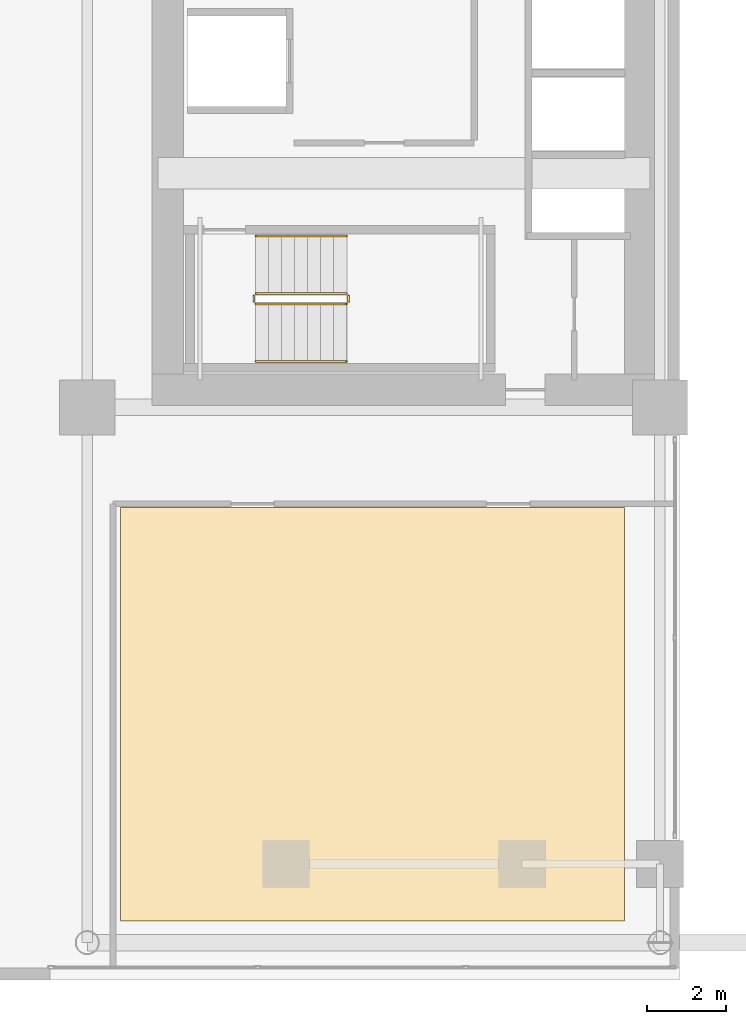
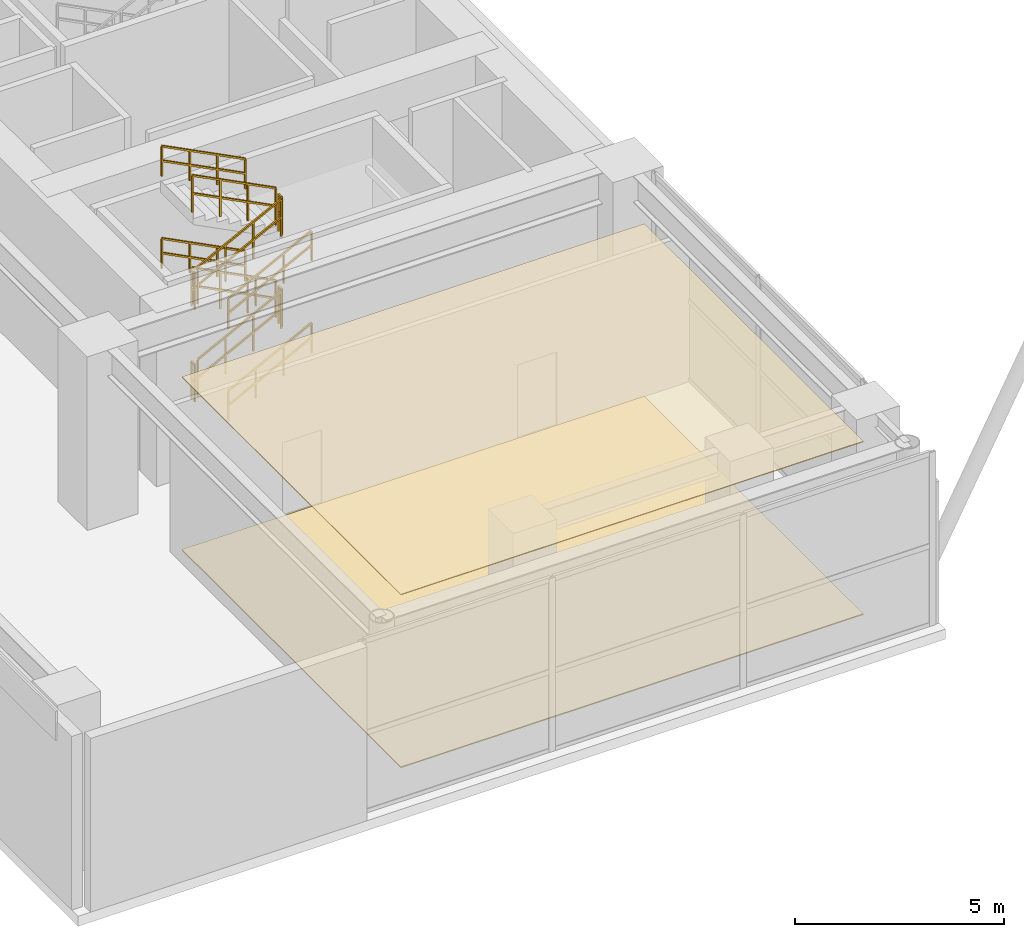
# One storey, part 24 of 29: 12 railings, 2 coverings.
"""IFC4 building model written with IfcOpenShell, lengths in metres."""

import ifcopenshell
import ifcopenshell.guid

model = None  # the IFC model being written
_history = None  # IfcOwnerHistory: only IFC2X3 demands one
_inside = {}  # id of a spatial element -> (the spatial element, [elements in it])
_under = {}  # id of a project, library or spatial element -> (it, [spatial elements below it])
_declared = {}  # id of a project -> (the project, [libraries it declares])
_typed = {}  # id of a type object -> (the type object, [elements of that type])
_made_of = {}  # id of a material, layer set ... -> (it, [elements and type objects made of it])


def new_model(schema):
    """Start an empty IFC model of exactly this schema.

    Asked for "IFC4X3", IfcOpenShell would pick the latest addendum, in which some entities
    have other attributes; the version numbers below select the first issue.
    IFC2X3 requires an IfcOwnerHistory on every rooted entity: one is made here for all.
    """
    global model, _history
    if schema == "IFC4X3":
        model = ifcopenshell.file(schema_version=(4, 3, 0, 0))
    else:
        model = ifcopenshell.file(schema=schema)
    _inside.clear()
    _under.clear()
    _declared.clear()
    _typed.clear()
    _made_of.clear()
    _history = None
    if model.schema == "IFC2X3":
        org = make("IfcOrganization", Name="unknown")
        user = make(
            "IfcPersonAndOrganization",
            ThePerson=make("IfcPerson", FamilyName="unknown"),
            TheOrganization=org,
        )
        app = make(
            "IfcApplication",
            ApplicationDeveloper=org,
            Version="unknown",
            ApplicationFullName="unknown",
            ApplicationIdentifier="unknown",
        )
        _history = make(
            "IfcOwnerHistory",
            OwningUser=user,
            OwningApplication=app,
            ChangeAction="ADDED",
            CreationDate=0,
        )
    return model


def make(cls, **values):
    """One entity of the class cls with the attributes given. An attribute that is None is left unset."""
    return model.create_entity(
        cls, **{name: value for name, value in values.items() if value is not None}
    )


def rooted(cls, **values):
    """An entity with a GlobalId (a new one), such as an element, a storey or a relation."""
    return make(cls, GlobalId=ifcopenshell.guid.new(), OwnerHistory=_history, **values)


def si_unit(unit_type, name, prefix=None):
    """IfcSIUnit, for example si_unit("LENGTHUNIT", "METRE", prefix="MILLI")."""
    return make("IfcSIUnit", UnitType=unit_type, Prefix=prefix, Name=name)


def assignment(units):
    """IfcUnitAssignment: the units of a project."""
    return None if units is None else make("IfcUnitAssignment", Units=units)


def point(xyz):
    """IfcCartesianPoint."""
    return None if xyz is None else make("IfcCartesianPoint", Coordinates=xyz)


def direction(xyz):
    """IfcDirection."""
    return None if xyz is None else make("IfcDirection", DirectionRatios=xyz)


def frame(location, z_axis=None, x_axis=None):
    """IfcAxis2Placement3D, a coordinate frame: its origin and axes. An axis left out is left unset."""
    return make(
        "IfcAxis2Placement3D",
        Location=point(location),
        Axis=direction(z_axis),
        RefDirection=direction(x_axis),
    )


def frame_2d(location, x_axis=None):
    """IfcAxis2Placement2D, a coordinate frame in the plane: its origin and x axis."""
    return make(
        "IfcAxis2Placement2D", Location=point(location), RefDirection=direction(x_axis)
    )


def origin():
    """The frame at (0, 0, 0) with its axes left unset."""
    return frame((0.0, 0.0, 0.0))


def origin_2d():
    """The frame at (0, 0) in the plane with its x axis left unset."""
    return frame_2d((0.0, 0.0))


def place(relative_to, where):
    """IfcLocalPlacement: puts the frame where relative to a parent placement (None: the world)."""
    return make(
        "IfcLocalPlacement", PlacementRelTo=relative_to, RelativePlacement=where
    )


def context(
    kind, dimensions, precision=None, world=None, true_north=None, identifier=None
):
    """IfcGeometricRepresentationContext, for example the 3D "Model" context."""
    return make(
        "IfcGeometricRepresentationContext",
        ContextIdentifier=identifier,
        ContextType=kind,
        CoordinateSpaceDimension=dimensions,
        Precision=precision,
        WorldCoordinateSystem=world,
        TrueNorth=true_north,
    )


def subcontext(parent, identifier, kind, view, scale=None):
    """IfcGeometricRepresentationSubContext, for example "Body" below "Model"."""
    return make(
        "IfcGeometricRepresentationSubContext",
        ContextIdentifier=identifier,
        ContextType=kind,
        ParentContext=parent,
        TargetScale=scale,
        TargetView=view,
    )


def project(units=None, contexts=None):
    """IfcProject with its units and contexts."""
    return rooted(
        "IfcProject",
        Name="project",
        RepresentationContexts=contexts,
        UnitsInContext=assignment(units),
    )


def spatial(cls, under=None, at=None, **own):
    """A site, building, storey or space (cls), placed at a placement, below another one or the project."""
    s = rooted(cls, ObjectPlacement=at, **own)
    if under is not None:
        _under.setdefault(under.id(), (under, []))[1].append(s)
    return s


def polyline(points):
    """IfcPolyline through the points."""
    return make("IfcPolyline", Points=[point(p) for p in points])


def profile(cls, at=None, kind="AREA", **sizes):
    """A parametric profile (cls). Its sizes go by their IFC names, for example OverallWidth=200.0."""
    return make(cls, ProfileType=kind, Position=at, **sizes)


def rectangle(**sizes):
    """IfcRectangleProfileDef."""
    return profile("IfcRectangleProfileDef", **sizes)


def outline(outer, holes=None, kind="AREA"):
    """IfcArbitraryClosedProfileDef: a profile drawn as a closed curve; with holes, ...WithVoids."""
    if holes is None:
        return make("IfcArbitraryClosedProfileDef", ProfileType=kind, OuterCurve=outer)
    return make(
        "IfcArbitraryProfileDefWithVoids",
        ProfileType=kind,
        OuterCurve=outer,
        InnerCurves=holes,
    )


def extrude(swept, where, along, depth):
    """IfcExtrudedAreaSolid: the profile swept, set in the frame where, extruded along a direction by depth."""
    return make(
        "IfcExtrudedAreaSolid",
        SweptArea=swept,
        Position=where,
        ExtrudedDirection=direction(along),
        Depth=depth,
    )


def shape(context_of_items, identifier, shape_type, items):
    """IfcShapeRepresentation: the items that make up one representation, for example the "Body"."""
    return make(
        "IfcShapeRepresentation",
        ContextOfItems=context_of_items,
        RepresentationIdentifier=identifier,
        RepresentationType=shape_type,
        Items=items,
    )


def material(Name=None, Category=None):
    """IfcMaterial."""
    return make("IfcMaterial", Name=Name, Category=Category)


def layer(
    of_material, thickness, ventilated=None, Name=None, Category=None, Priority=None
):
    """IfcMaterialLayer: one layer of a wall or slab, of a material (None: an air gap)."""
    return make(
        "IfcMaterialLayer",
        Material=of_material,
        LayerThickness=thickness,
        IsVentilated=ventilated,
        Name=Name,
        Category=Category,
        Priority=Priority,
    )


def layer_set(layers, Name=None):
    """IfcMaterialLayerSet."""
    return make("IfcMaterialLayerSet", MaterialLayers=layers, LayerSetName=Name)


def made_of(thing, what):
    """Note that an element or type object is made of a material, layer set ...; save() writes the relation."""
    if what is not None:
        _made_of.setdefault(what.id(), (what, []))[1].append(thing)
    return thing


def type_object(cls, material=None, **own):
    """A type object (cls), such as IfcWallType, which elements share."""
    return made_of(rooted(cls, **own), material)


def element(
    cls,
    number,
    at=None,
    inside=None,
    cuts=None,
    type_object=None,
    material=None,
    context=None,
    identifier="Body",
    shape_type=None,
    held_by="IfcProductDefinitionShape",
    body=None,
    shapes=None,
    **own,
):
    """One element of the class cls, such as IfcWall. Its Tag is "e" and its number.

    at: its placement. inside: the storey or other place that contains it. cuts: it is an
    opening in that element (IfcRelVoidsElement). A single representation is given by context,
    identifier, shape_type and body (its items); several are given by shapes. held_by: the class
    of the entity that holds the representations. save() writes the other relations.
    """
    e = rooted(cls, Tag="e%d" % number, ObjectPlacement=at, **own)
    if body is not None:
        shapes = [shape(context, identifier, shape_type, body)]
    if shapes is not None:
        e.Representation = make(held_by, Representations=shapes)
    if inside is not None:
        _inside.setdefault(inside.id(), (inside, []))[1].append(e)
    if cuts is not None:
        rooted(
            "IfcRelVoidsElement", RelatingBuildingElement=cuts, RelatedOpeningElement=e
        )
    if type_object is not None:
        _typed.setdefault(type_object.id(), (type_object, []))[1].append(e)
    return made_of(e, material)


def aggregate(whole, parts):
    """IfcRelAggregates: a whole, such as a stair, and the parts it consists of."""
    return rooted("IfcRelAggregates", RelatingObject=whole, RelatedObjects=parts)


def save(model, path):
    """Write the relations noted so far, then the file.

    IfcRelAggregates (storeys below a building ...), IfcRelContainedInSpatialStructure (elements
    in a storey), IfcRelDefinesByType, IfcRelAssociatesMaterial and IfcRelDeclares: one each for
    every whole, place, type object, material and project.
    """
    for whole, parts in _under.values():
        aggregate(whole, parts)
    for where, things in _inside.values():
        rooted(
            "IfcRelContainedInSpatialStructure",
            RelatedElements=things,
            RelatingStructure=where,
        )
    for kind, things in _typed.values():
        rooted("IfcRelDefinesByType", RelatedObjects=things, RelatingType=kind)
    for what, things in _made_of.values():
        rooted("IfcRelAssociatesMaterial", RelatedObjects=things, RelatingMaterial=what)
    for by, libraries in _declared.values():
        rooted("IfcRelDeclares", RelatingContext=by, RelatedDefinitions=libraries)
    model.write(path)


model = new_model("IFC4")

# Units and contexts
model_context = context("Model", 3, precision=1e-05, world=origin(), true_north=direction((0.0, 1.0)))
body_context = subcontext(model_context, "Body", "Model", "MODEL_VIEW")
ifc_project = project(units=[si_unit("LENGTHUNIT", "METRE"), si_unit("AREAUNIT", "SQUARE_METRE"), si_unit("VOLUMEUNIT", "CUBIC_METRE"), si_unit("PLANEANGLEUNIT", "RADIAN"), si_unit("MASSUNIT", "GRAM", prefix="KILO")], contexts=[model_context])

# Site, building, storey
site_placement = place(None, origin())
site = spatial("IfcSite", under=ifc_project, at=site_placement, CompositionType="ELEMENT")
building_placement = place(site_placement, origin())
building = spatial("IfcBuilding", under=site, at=building_placement, Name="Ocotamira Hotel", CompositionType="ELEMENT")
storey_placement = place(building_placement, frame((0.0, 0.0, 6.0)))
storey = spatial("IfcBuildingStorey", under=building, at=storey_placement, Name="L02", CompositionType="ELEMENT", Elevation=6.0)

# Coverings
ifc_material_1 = material(Name="Perforated acoustic gypsum ceiling board", Category="gypsum")
ifc_layer_1 = layer(ifc_material_1, 0.02490234375)
ifc_layer_set_1 = layer_set([ifc_layer_1], Name="Perforated acoustic gypsum ceiling board")
covering_type_1 = type_object("IfcCoveringType", Name="COV-CEIL-25", PredefinedType="CEILING", material=ifc_layer_set_1)
covering_1_placement = place(storey_placement, frame((0.0, 0.0, 5.054931640625)))
element("IfcCovering", 1, at=covering_1_placement, inside=storey, type_object=covering_type_1, Name="L02 Acoustic Ceiling", PredefinedType="CEILING", context=body_context, shape_type="SweptSolid", body=[
    extrude(outline(polyline([(9.800048828125, 1.5), (22.60009765625, 1.5), (22.60009765625, 12.0), (9.800048828125, 12.0), (9.800048828125, 1.5)])), origin(), (0.0, 0.0, 1.0), 0.025146484375),
])
ifc_material_2 = material(Name="Honed desert travertine stone flooring", Category="masonry")
ifc_layer_2 = layer(ifc_material_2, 0.030029296875)
ifc_layer_set_2 = layer_set([ifc_layer_2], Name="Honed desert travertine stone flooring")
covering_type_2 = type_object("IfcCoveringType", Name="COV-FLOR-30", PredefinedType="FLOORING", material=ifc_layer_set_2)
covering_2_placement = place(storey_placement, origin())
element("IfcCovering", 2, at=covering_2_placement, inside=storey, type_object=covering_type_2, Name="L02 Honed Stone Floor Finish", PredefinedType="FLOORING", context=body_context, shape_type="SweptSolid", body=[
    extrude(outline(polyline([(9.800048828125, 1.5), (22.60009765625, 1.5), (22.60009765625, 12.0), (9.800048828125, 12.0), (9.800048828125, 1.5)])), origin(), (0.0, 0.0, 1.0), 0.030029296875),
])

# Railings
ifc_material_3 = material(Name="Brushed stainless steel handrail", Category="steel")
railing_type_1 = type_object("IfcRailingType", Name="RL-HAND-900", PredefinedType="HANDRAIL", material=ifc_material_3)
railing_1_placement = place(storey_placement, frame((13.22998046875, 15.719970703125, 0.33740234375)))
element("IfcRailing", 3, at=railing_1_placement, inside=storey, type_object=railing_type_1, Name="L02 ST-1 stair handrail 1", PredefinedType="HANDRAIL", context=body_context, shape_type="SweptSolid", body=[
    extrude(rectangle(XDim=0.048095703125, YDim=0.048095703125, at=origin_2d()), frame((0.0, 0.0, 0.8759765625), z_axis=(0.89032534587, 0.0, 0.45532491531), x_axis=(0.0, 1.0, 0.0)), (0.0, 0.0, 1.0), 2.5947265625),
    extrude(rectangle(XDim=0.048095703125, YDim=0.048095703125, at=origin_2d()), frame((0.0, 0.0, 0.449951171875), z_axis=(0.89032534587, 0.0, 0.45532491531), x_axis=(0.0, 1.0, 0.0)), (0.0, 0.0, 1.0), 2.5947265625),
    extrude(rectangle(XDim=0.0419921875, YDim=0.0419921875, at=origin_2d()), origin(), (0.0, 0.0, 1.0), 0.851806640625),
    extrude(rectangle(XDim=0.0419921875, YDim=0.0419921875, at=origin_2d()), frame((0.77001953125, 0.0, 0.393798828125)), (0.0, 0.0, 1.0), 0.851806640625),
    extrude(rectangle(XDim=0.0419921875, YDim=0.0419921875, at=origin_2d()), frame((1.5400390625, 0.0, 0.78759765625)), (0.0, 0.0, 1.0), 0.851806640625),
    extrude(rectangle(XDim=0.0419921875, YDim=0.0419921875, at=origin_2d()), frame((2.31005859375, 0.0, 1.181396484375)), (0.0, 0.0, 1.0), 0.851806640625),
])
railing_2_placement = place(storey_placement, frame((15.5400390625, 18.89990234375, 1.6875)))
element("IfcRailing", 4, at=railing_2_placement, inside=storey, type_object=railing_type_1, Name="L02 ST-1 stair handrail 2", PredefinedType="HANDRAIL", context=body_context, shape_type="SweptSolid", body=[
    extrude(rectangle(XDim=0.048095703125, YDim=0.048095703125, at=origin_2d()), frame((0.0, 0.0, 0.8759765625), z_axis=(-0.890363489232, 0.0, 0.455250323495), x_axis=(0.0, -1.0, 0.0)), (0.0, 0.0, 1.0), 2.594482421875),
    extrude(rectangle(XDim=0.048095703125, YDim=0.048095703125, at=origin_2d()), frame((0.0, 0.0, 0.449951171875), z_axis=(-0.890363489232, 0.0, 0.455250323495), x_axis=(0.0, -1.0, 0.0)), (0.0, 0.0, 1.0), 2.594482421875),
    extrude(rectangle(XDim=0.0419921875, YDim=0.0419921875, at=origin_2d()), origin(), (0.0, 0.0, 1.0), 0.851806640625),
    extrude(rectangle(XDim=0.0419921875, YDim=0.0419921875, at=origin_2d()), frame((-0.77001953125, 0.0, 0.393798828125)), (0.0, 0.0, 1.0), 0.851806640625),
    extrude(rectangle(XDim=0.0419921875, YDim=0.0419921875, at=origin_2d()), frame((-1.5400390625, 0.0, 0.787353515625)), (0.0, 0.0, 1.0), 0.851806640625),
    extrude(rectangle(XDim=0.0419921875, YDim=0.0419921875, at=origin_2d()), frame((-2.31005859375, 0.0, 1.18115234375)), (0.0, 0.0, 1.0), 0.851806640625),
])
railing_3_placement = place(storey_placement, frame((13.22998046875, 15.719970703125, 3.03759765625)))
element("IfcRailing", 5, at=railing_3_placement, inside=storey, type_object=railing_type_1, Name="L02 ST-1 stair handrail 3", PredefinedType="HANDRAIL", context=body_context, shape_type="SweptSolid", body=[
    extrude(rectangle(XDim=0.048095703125, YDim=0.048095703125, at=origin_2d()), frame((0.0, 0.0, 0.8759765625), z_axis=(0.890363489232, 0.0, 0.455250323495), x_axis=(0.0, 1.0, 0.0)), (0.0, 0.0, 1.0), 2.594482421875),
    extrude(rectangle(XDim=0.048095703125, YDim=0.048095703125, at=origin_2d()), frame((0.0, 0.0, 0.449951171875), z_axis=(0.890363489232, 0.0, 0.455250323495), x_axis=(0.0, 1.0, 0.0)), (0.0, 0.0, 1.0), 2.594482421875),
    extrude(rectangle(XDim=0.0419921875, YDim=0.0419921875, at=origin_2d()), origin(), (0.0, 0.0, 1.0), 0.851806640625),
    extrude(rectangle(XDim=0.0419921875, YDim=0.0419921875, at=origin_2d()), frame((0.77001953125, 0.0, 0.393798828125)), (0.0, 0.0, 1.0), 0.851806640625),
    extrude(rectangle(XDim=0.0419921875, YDim=0.0419921875, at=origin_2d()), frame((1.5400390625, 0.0, 0.787353515625)), (0.0, 0.0, 1.0), 0.851806640625),
    extrude(rectangle(XDim=0.0419921875, YDim=0.0419921875, at=origin_2d()), frame((2.31005859375, 0.0, 1.18115234375)), (0.0, 0.0, 1.0), 0.851806640625),
])
railing_4_placement = place(storey_placement, frame((15.5400390625, 18.89990234375, 4.387451171875)))
element("IfcRailing", 6, at=railing_4_placement, inside=storey, type_object=railing_type_1, Name="L02 ST-1 stair handrail 4", PredefinedType="HANDRAIL", context=body_context, shape_type="SweptSolid", body=[
    extrude(rectangle(XDim=0.048095703125, YDim=0.048095703125, at=origin_2d()), frame((0.0, 0.0, 0.8759765625), z_axis=(-0.89032534587, 0.0, 0.45532491531), x_axis=(0.0, -1.0, 0.0)), (0.0, 0.0, 1.0), 2.5947265625),
    extrude(rectangle(XDim=0.048095703125, YDim=0.048095703125, at=origin_2d()), frame((0.0, 0.0, 0.449951171875), z_axis=(-0.89032534587, 0.0, 0.45532491531), x_axis=(0.0, -1.0, 0.0)), (0.0, 0.0, 1.0), 2.5947265625),
    extrude(rectangle(XDim=0.0419921875, YDim=0.0419921875, at=origin_2d()), origin(), (0.0, 0.0, 1.0), 0.851806640625),
    extrude(rectangle(XDim=0.0419921875, YDim=0.0419921875, at=origin_2d()), frame((-0.77001953125, 0.0, 0.393798828125)), (0.0, 0.0, 1.0), 0.851806640625),
    extrude(rectangle(XDim=0.0419921875, YDim=0.0419921875, at=origin_2d()), frame((-1.5400390625, 0.0, 0.78759765625)), (0.0, 0.0, 1.0), 0.851806640625),
    extrude(rectangle(XDim=0.0419921875, YDim=0.0419921875, at=origin_2d()), frame((-2.31005859375, 0.0, 1.181396484375)), (0.0, 0.0, 1.0), 0.851806640625),
])
ifc_material_4 = material(Name="Painted steel stair guardrail", Category="steel")
railing_type_2 = type_object("IfcRailingType", Name="RL-STAIR-1100", PredefinedType="GUARDRAIL", material=ifc_material_4)
railing_5_placement = place(storey_placement, frame((13.22998046875, 17.179931640625, 0.168701171875)))
element("IfcRailing", 7, at=railing_5_placement, inside=storey, type_object=railing_type_2, Name="L02 ST-1 stair guard 1", PredefinedType="GUARDRAIL", context=body_context, shape_type="SweptSolid", body=[
    extrude(rectangle(XDim=0.048095703125, YDim=0.048095703125, at=origin_2d()), frame((0.0, 0.0, 1.076171875), z_axis=(0.89032534587, 0.0, 0.45532491531), x_axis=(0.0, 1.0, 0.0)), (0.0, 0.0, 1.0), 2.5947265625),
    extrude(rectangle(XDim=0.048095703125, YDim=0.048095703125, at=origin_2d()), frame((0.0, 0.0, 0.550048828125), z_axis=(0.89032534587, 0.0, 0.45532491531), x_axis=(0.0, 1.0, 0.0)), (0.0, 0.0, 1.0), 2.5947265625),
    extrude(rectangle(XDim=0.0419921875, YDim=0.0419921875, at=origin_2d()), origin(), (0.0, 0.0, 1.0), 1.052001953125),
    extrude(rectangle(XDim=0.0419921875, YDim=0.0419921875, at=origin_2d()), frame((0.77001953125, 0.0, 0.393798828125)), (0.0, 0.0, 1.0), 1.052001953125),
    extrude(rectangle(XDim=0.0419921875, YDim=0.0419921875, at=origin_2d()), frame((1.5400390625, 0.0, 0.78759765625)), (0.0, 0.0, 1.0), 1.052001953125),
    extrude(rectangle(XDim=0.0419921875, YDim=0.0419921875, at=origin_2d()), frame((2.31005859375, 0.0, 1.181396484375)), (0.0, 0.0, 1.0), 1.052001953125),
])
railing_6_placement = place(storey_placement, frame((15.590087890625, 17.22998046875, 1.35009765625)))
element("IfcRailing", 8, at=railing_6_placement, inside=storey, type_object=railing_type_2, Name="L02 ST-1 stair guard 2", PredefinedType="GUARDRAIL", context=body_context, shape_type="SweptSolid", body=[
    extrude(rectangle(XDim=0.048095703125, YDim=0.048095703125, at=origin_2d()), frame((0.0, 0.0, 1.076171875), z_axis=(0.0, 1.0, 0.0), x_axis=(-1.0, 0.0, 0.0)), (0.0, 0.0, 1.0), 0.159912109375),
    extrude(rectangle(XDim=0.048095703125, YDim=0.048095703125, at=origin_2d()), frame((0.0, 0.0, 0.550048828125), z_axis=(0.0, 1.0, 0.0), x_axis=(-1.0, 0.0, 0.0)), (0.0, 0.0, 1.0), 0.159912109375),
    extrude(rectangle(XDim=0.0419921875, YDim=0.0419921875, at=origin_2d()), origin(), (0.0, 0.0, 1.0), 1.052001953125),
    extrude(rectangle(XDim=0.0419921875, YDim=0.0419921875, at=origin_2d()), frame((0.0, 0.159912109375, 0.0)), (0.0, 0.0, 1.0), 1.052001953125),
])
railing_7_placement = place(storey_placement, frame((15.5400390625, 17.43994140625, 1.518798828125)))
element("IfcRailing", 9, at=railing_7_placement, inside=storey, type_object=railing_type_2, Name="L02 ST-1 stair guard 3", PredefinedType="GUARDRAIL", context=body_context, shape_type="SweptSolid", body=[
    extrude(rectangle(XDim=0.048095703125, YDim=0.048095703125, at=origin_2d()), frame((0.0, 0.0, 1.076171875), z_axis=(-0.890363489232, 0.0, 0.455250323495), x_axis=(0.0, -1.0, 0.0)), (0.0, 0.0, 1.0), 2.594482421875),
    extrude(rectangle(XDim=0.048095703125, YDim=0.048095703125, at=origin_2d()), frame((0.0, 0.0, 0.550048828125), z_axis=(-0.890363489232, 0.0, 0.455250323495), x_axis=(0.0, -1.0, 0.0)), (0.0, 0.0, 1.0), 2.594482421875),
    extrude(rectangle(XDim=0.0419921875, YDim=0.0419921875, at=origin_2d()), origin(), (0.0, 0.0, 1.0), 1.052001953125),
    extrude(rectangle(XDim=0.0419921875, YDim=0.0419921875, at=origin_2d()), frame((-0.77001953125, 0.0, 0.393798828125)), (0.0, 0.0, 1.0), 1.052001953125),
    extrude(rectangle(XDim=0.0419921875, YDim=0.0419921875, at=origin_2d()), frame((-1.5400390625, 0.0, 0.787353515625)), (0.0, 0.0, 1.0), 1.052001953125),
    extrude(rectangle(XDim=0.0419921875, YDim=0.0419921875, at=origin_2d()), frame((-2.31005859375, 0.0, 1.18115234375)), (0.0, 0.0, 1.0), 1.052001953125),
])
railing_8_placement = place(storey_placement, frame((13.179931640625, 17.22998046875, 2.699951171875)))
element("IfcRailing", 10, at=railing_8_placement, inside=storey, type_object=railing_type_2, Name="L02 ST-1 stair guard 4", PredefinedType="GUARDRAIL", context=body_context, shape_type="SweptSolid", body=[
    extrude(rectangle(XDim=0.048095703125, YDim=0.048095703125, at=origin_2d()), frame((0.0, 0.0, 1.076171875), z_axis=(0.0, 1.0, 0.0), x_axis=(-1.0, 0.0, 0.0)), (0.0, 0.0, 1.0), 0.159912109375),
    extrude(rectangle(XDim=0.048095703125, YDim=0.048095703125, at=origin_2d()), frame((0.0, 0.0, 0.550048828125), z_axis=(0.0, 1.0, 0.0), x_axis=(-1.0, 0.0, 0.0)), (0.0, 0.0, 1.0), 0.159912109375),
    extrude(rectangle(XDim=0.0419921875, YDim=0.0419921875, at=origin_2d()), origin(), (0.0, 0.0, 1.0), 1.052001953125),
    extrude(rectangle(XDim=0.0419921875, YDim=0.0419921875, at=origin_2d()), frame((0.0, 0.159912109375, 0.0)), (0.0, 0.0, 1.0), 1.052001953125),
])
railing_9_placement = place(storey_placement, frame((13.22998046875, 17.179931640625, 2.86865234375)))
element("IfcRailing", 11, at=railing_9_placement, inside=storey, type_object=railing_type_2, Name="L02 ST-1 stair guard 5", PredefinedType="GUARDRAIL", context=body_context, shape_type="SweptSolid", body=[
    extrude(rectangle(XDim=0.048095703125, YDim=0.048095703125, at=origin_2d()), frame((0.0, 0.0, 1.076171875), z_axis=(0.89032534587, 0.0, 0.45532491531), x_axis=(0.0, 1.0, 0.0)), (0.0, 0.0, 1.0), 2.5947265625),
    extrude(rectangle(XDim=0.048095703125, YDim=0.048095703125, at=origin_2d()), frame((0.0, 0.0, 0.550048828125), z_axis=(0.89032534587, 0.0, 0.45532491531), x_axis=(0.0, 1.0, 0.0)), (0.0, 0.0, 1.0), 2.5947265625),
    extrude(rectangle(XDim=0.0419921875, YDim=0.0419921875, at=origin_2d()), origin(), (0.0, 0.0, 1.0), 1.052001953125),
    extrude(rectangle(XDim=0.0419921875, YDim=0.0419921875, at=origin_2d()), frame((0.77001953125, 0.0, 0.393798828125)), (0.0, 0.0, 1.0), 1.052001953125),
    extrude(rectangle(XDim=0.0419921875, YDim=0.0419921875, at=origin_2d()), frame((1.5400390625, 0.0, 0.78759765625)), (0.0, 0.0, 1.0), 1.052001953125),
    extrude(rectangle(XDim=0.0419921875, YDim=0.0419921875, at=origin_2d()), frame((2.31005859375, 0.0, 1.181396484375)), (0.0, 0.0, 1.0), 1.052001953125),
])
railing_10_placement = place(storey_placement, frame((15.590087890625, 17.22998046875, 4.050048828125)))
element("IfcRailing", 12, at=railing_10_placement, inside=storey, type_object=railing_type_2, Name="L02 ST-1 stair guard 6", PredefinedType="GUARDRAIL", context=body_context, shape_type="SweptSolid", body=[
    extrude(rectangle(XDim=0.048095703125, YDim=0.048095703125, at=origin_2d()), frame((0.0, 0.0, 1.076171875), z_axis=(0.0, 1.0, 0.0), x_axis=(-1.0, 0.0, 0.0)), (0.0, 0.0, 1.0), 0.159912109375),
    extrude(rectangle(XDim=0.048095703125, YDim=0.048095703125, at=origin_2d()), frame((0.0, 0.0, 0.550048828125), z_axis=(0.0, 1.0, 0.0), x_axis=(-1.0, 0.0, 0.0)), (0.0, 0.0, 1.0), 0.159912109375),
    extrude(rectangle(XDim=0.0419921875, YDim=0.0419921875, at=origin_2d()), origin(), (0.0, 0.0, 1.0), 1.052001953125),
    extrude(rectangle(XDim=0.0419921875, YDim=0.0419921875, at=origin_2d()), frame((0.0, 0.159912109375, 0.0)), (0.0, 0.0, 1.0), 1.052001953125),
])
railing_11_placement = place(storey_placement, frame((15.5400390625, 17.43994140625, 4.21875)))
element("IfcRailing", 13, at=railing_11_placement, inside=storey, type_object=railing_type_2, Name="L02 ST-1 stair guard 7", PredefinedType="GUARDRAIL", context=body_context, shape_type="SweptSolid", body=[
    extrude(rectangle(XDim=0.048095703125, YDim=0.048095703125, at=origin_2d()), frame((0.0, 0.0, 1.076171875), z_axis=(-0.890363489232, 0.0, 0.455250323495), x_axis=(0.0, -1.0, 0.0)), (0.0, 0.0, 1.0), 2.594482421875),
    extrude(rectangle(XDim=0.048095703125, YDim=0.048095703125, at=origin_2d()), frame((0.0, 0.0, 0.550048828125), z_axis=(-0.890363489232, 0.0, 0.455250323495), x_axis=(0.0, -1.0, 0.0)), (0.0, 0.0, 1.0), 2.594482421875),
    extrude(rectangle(XDim=0.0419921875, YDim=0.0419921875, at=origin_2d()), origin(), (0.0, 0.0, 1.0), 1.052001953125),
    extrude(rectangle(XDim=0.0419921875, YDim=0.0419921875, at=origin_2d()), frame((-0.77001953125, 0.0, 0.393798828125)), (0.0, 0.0, 1.0), 1.052001953125),
    extrude(rectangle(XDim=0.0419921875, YDim=0.0419921875, at=origin_2d()), frame((-1.5400390625, 0.0, 0.787353515625)), (0.0, 0.0, 1.0), 1.052001953125),
    extrude(rectangle(XDim=0.0419921875, YDim=0.0419921875, at=origin_2d()), frame((-2.31005859375, 0.0, 1.18115234375)), (0.0, 0.0, 1.0), 1.052001953125),
])
railing_12_placement = place(storey_placement, frame((13.179931640625, 17.22998046875, 0.0)))
element("IfcRailing", 14, at=railing_12_placement, inside=storey, type_object=railing_type_2, Name="L02 ST-1 stair guard 8", PredefinedType="GUARDRAIL", context=body_context, shape_type="SweptSolid", body=[
    extrude(rectangle(XDim=0.048095703125, YDim=0.048095703125, at=origin_2d()), frame((0.0, 0.0, 1.076171875), z_axis=(0.0, 1.0, 0.0), x_axis=(-1.0, 0.0, 0.0)), (0.0, 0.0, 1.0), 0.159912109375),
    extrude(rectangle(XDim=0.048095703125, YDim=0.048095703125, at=origin_2d()), frame((0.0, 0.0, 0.550048828125), z_axis=(0.0, 1.0, 0.0), x_axis=(-1.0, 0.0, 0.0)), (0.0, 0.0, 1.0), 0.159912109375),
    extrude(rectangle(XDim=0.0419921875, YDim=0.0419921875, at=origin_2d()), origin(), (0.0, 0.0, 1.0), 1.052001953125),
    extrude(rectangle(XDim=0.0419921875, YDim=0.0419921875, at=origin_2d()), frame((0.0, 0.159912109375, 0.0)), (0.0, 0.0, 1.0), 1.052001953125),
])

save(model, "model.ifc")
